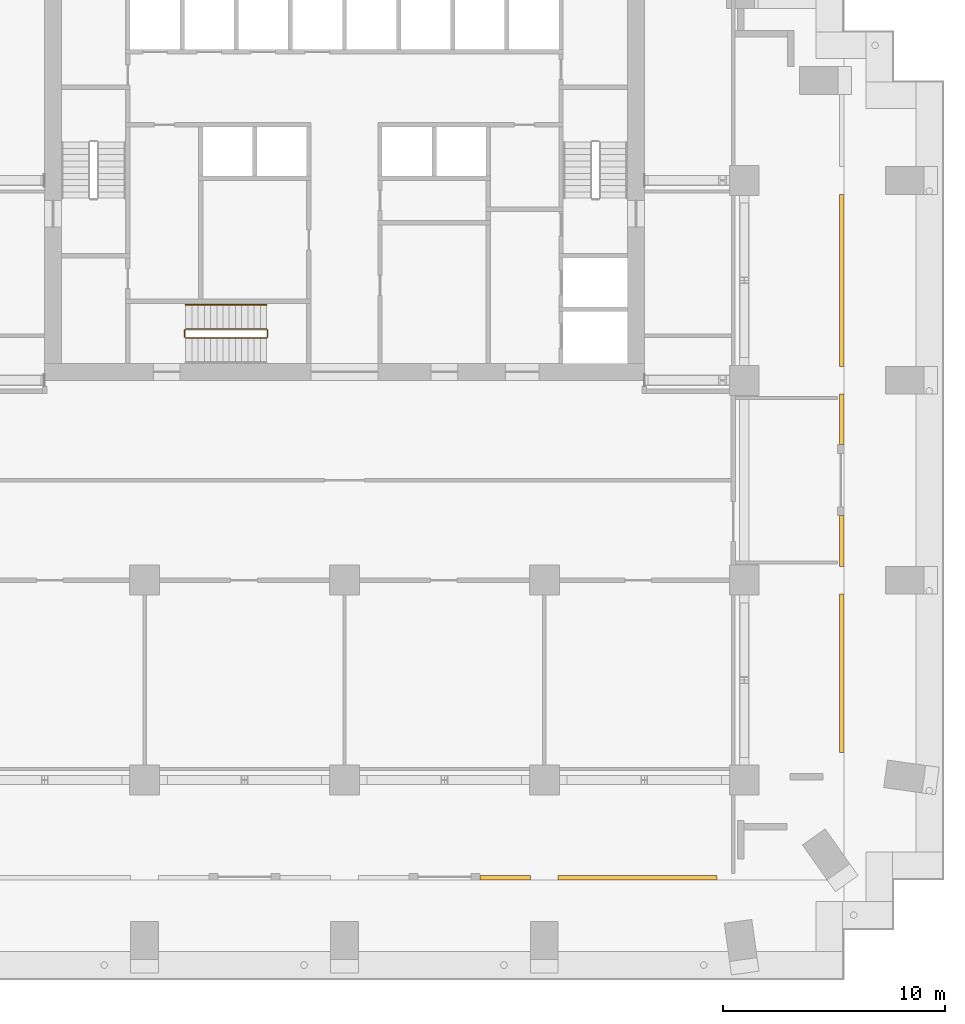
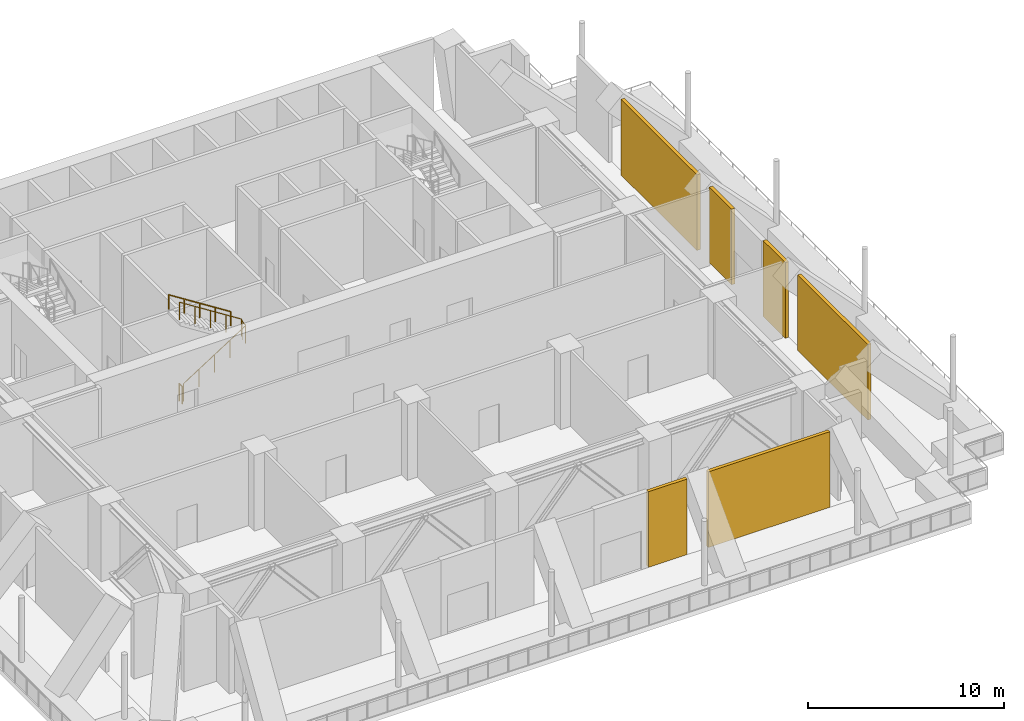
# One storey, part 7 of 9: 6 shading devices, 3 railings.
"""IFC4 building model written with IfcOpenShell, lengths in metres."""

from ifc_helpers import new_model, si_unit, direction, frame, origin, origin_2d, place, context, subcontext, project, spatial, polyline, circle, outline, extrude, material, layer, layer_set, type_object, element, save


model = new_model("IFC4")

# Units and contexts
model_context = context("Model", 3, precision=1e-05, world=origin(), true_north=direction((0.0, 1.0)))
body_context = subcontext(model_context, "Body", "Model", "MODEL_VIEW")
ifc_project = project(units=[si_unit("LENGTHUNIT", "METRE"), si_unit("AREAUNIT", "SQUARE_METRE"), si_unit("VOLUMEUNIT", "CUBIC_METRE"), si_unit("PLANEANGLEUNIT", "RADIAN"), si_unit("MASSUNIT", "GRAM", prefix="KILO")], contexts=[model_context])

# Site, building, storey
site_placement = place(None, origin())
site = spatial("IfcSite", under=ifc_project, at=site_placement, CompositionType="ELEMENT")
building_placement = place(site_placement, origin())
building = spatial("IfcBuilding", under=site, at=building_placement, Name="Orbiselva Terraces", CompositionType="ELEMENT")
storey_placement = place(building_placement, frame((0.0, 0.0, 115.0)))
storey = spatial("IfcBuildingStorey", under=building, at=storey_placement, Name="L29", CompositionType="ELEMENT", Elevation=115.0)

# Railings
ifc_material_1 = material(Name="Stainless steel", Category="steel")
railing_type_1 = type_object("IfcRailingType", Name="CORE-GUARD-1100", PredefinedType="GUARDRAIL", material=ifc_material_1)
railing_1_placement = place(storey_placement, frame((-7.15, 6.4, 0.178571)))
element("IfcRailing", 1, at=railing_1_placement, inside=storey, type_object=railing_type_1, Name="L29 S3 stair guard 1", PredefinedType="GUARDRAIL", context=body_context, shape_type="SweptSolid", body=[
    extrude(circle(Radius=0.024, at=origin_2d()), frame((0.0, 0.0, 1.081), z_axis=(0.843129645223, 0.0, 0.537710332192), x_axis=(0.0, 1.0, 0.0)), (0.0, 0.0, 1.0), 4.317248),
    extrude(circle(Radius=0.024, at=origin_2d()), frame((3.64, 0.0, 3.402429), z_axis=(0.707106781187, 0.707106781187, 0.0), x_axis=(-0.707106781187, 0.707106781187, 0.0)), (0.0, 0.0, 1.0), 0.070711),
    extrude(circle(Radius=0.024, at=origin_2d()), frame((3.69, 0.05, 3.402429), z_axis=(0.0, 1.0, 0.0), x_axis=(-1.0, 0.0, 0.0)), (0.0, 0.0, 1.0), 0.3),
    extrude(circle(Radius=0.024, at=origin_2d()), frame((3.69, 0.35, 3.402429), z_axis=(-0.260333341268, 0.260333341268, 0.92975970167), x_axis=(-0.707106781187, -0.707106781187, 0.0)), (0.0, 0.0, 1.0), 0.192061),
    extrude(circle(Radius=0.024, at=origin_2d()), frame((3.64, 0.4, 3.581), z_axis=(-0.843129645223, 0.0, 0.537710332192), x_axis=(0.0, -1.0, 0.0)), (0.0, 0.0, 1.0), 4.317248),
    extrude(circle(Radius=0.021, at=origin_2d()), origin(), (0.0, 0.0, 1.0), 1.057),
    extrude(circle(Radius=0.021, at=origin_2d()), frame((0.91, 0.0, 0.580357)), (0.0, 0.0, 1.0), 1.057),
    extrude(circle(Radius=0.021, at=origin_2d()), frame((1.82, 0.0, 1.160714)), (0.0, 0.0, 1.0), 1.057),
    extrude(circle(Radius=0.021, at=origin_2d()), frame((2.73, 0.0, 1.741072)), (0.0, 0.0, 1.0), 1.057),
    extrude(circle(Radius=0.021, at=origin_2d()), frame((3.64, 0.0, 2.321429)), (0.0, 0.0, 1.0), 1.057),
    extrude(circle(Radius=0.021, at=origin_2d()), frame((3.69, 0.05, 2.321429)), (0.0, 0.0, 1.0), 1.057),
    extrude(circle(Radius=0.021, at=origin_2d()), frame((3.69, 0.35, 2.321429)), (0.0, 0.0, 1.0), 1.057),
    extrude(circle(Radius=0.021, at=origin_2d()), frame((3.64, 0.4, 2.5)), (0.0, 0.0, 1.0), 1.057),
    extrude(circle(Radius=0.021, at=origin_2d()), frame((2.73, 0.4, 3.080357)), (0.0, 0.0, 1.0), 1.057),
    extrude(circle(Radius=0.021, at=origin_2d()), frame((1.82, 0.4, 3.660714)), (0.0, 0.0, 1.0), 1.057),
    extrude(circle(Radius=0.021, at=origin_2d()), frame((0.91, 0.4, 4.241072)), (0.0, 0.0, 1.0), 1.057),
    extrude(circle(Radius=0.021, at=origin_2d()), frame((0.0, 0.4, 4.821429)), (0.0, 0.0, 1.0), 1.057),
])
railing_2_placement = place(storey_placement, frame((-7.2, 6.45, 0.0)))
element("IfcRailing", 2, at=railing_2_placement, inside=storey, type_object=railing_type_1, Name="L29 S3 stair guard 2", PredefinedType="GUARDRAIL", context=body_context, shape_type="SweptSolid", body=[
    extrude(circle(Radius=0.024, at=origin_2d()), frame((0.0, 0.0, 1.081), z_axis=(0.0, 1.0, 0.0), x_axis=(-1.0, 0.0, 0.0)), (0.0, 0.0, 1.0), 0.3),
    extrude(circle(Radius=0.021, at=origin_2d()), origin(), (0.0, 0.0, 1.0), 1.057),
    extrude(circle(Radius=0.021, at=origin_2d()), frame((0.0, 0.3, 0.0)), (0.0, 0.0, 1.0), 1.057),
])
railing_type_2 = type_object("IfcRailingType", Name="CORE-HANDRAIL-900", PredefinedType="HANDRAIL", material=ifc_material_1)
railing_3_placement = place(storey_placement, frame((-3.51, 7.9, 2.678571)))
element("IfcRailing", 3, at=railing_3_placement, inside=storey, type_object=railing_type_2, Name="L29 S3 stair handrail 2", PredefinedType="HANDRAIL", context=body_context, shape_type="SweptSolid", body=[
    extrude(circle(Radius=0.024, at=origin_2d()), frame((0.0, 0.0, 0.876), z_axis=(-0.843129645223, 0.0, 0.537710332192), x_axis=(0.0, -1.0, 0.0)), (0.0, 0.0, 1.0), 4.317248),
    extrude(circle(Radius=0.021, at=origin_2d()), origin(), (0.0, 0.0, 1.0), 0.852),
    extrude(circle(Radius=0.021, at=origin_2d()), frame((-0.91, 0.0, 0.580357)), (0.0, 0.0, 1.0), 0.852),
    extrude(circle(Radius=0.021, at=origin_2d()), frame((-1.82, 0.0, 1.160714)), (0.0, 0.0, 1.0), 0.852),
    extrude(circle(Radius=0.021, at=origin_2d()), frame((-2.73, 0.0, 1.741072)), (0.0, 0.0, 1.0), 0.852),
    extrude(circle(Radius=0.021, at=origin_2d()), frame((-3.64, 0.0, 2.321429)), (0.0, 0.0, 1.0), 0.852),
])

# Shading devices
ifc_material_2 = material(Name="Terracotta louvre blades", Category="masonry")
ifc_layer = layer(ifc_material_2, 0.2)
ifc_layer_set = layer_set([ifc_layer], Name="Terracotta louvre blades")
shading_device_type = type_object("IfcShadingDeviceType", Name="ENV-LOUVRE-WALL-200", PredefinedType="USERDEFINED", material=ifc_layer_set)
shading_device_1_placement = place(storey_placement, origin())
element("IfcShadingDevice", 4, at=shading_device_1_placement, inside=storey, type_object=shading_device_type, Name="Louvre wall L29 S", ObjectType="LOUVRE", PredefinedType="USERDEFINED", context=body_context, shape_type="SweptSolid", body=[
    extrude(outline(polyline([(6.1, -18.0), (8.375, -18.0), (8.375, -17.8), (6.1, -17.8), (6.1, -18.0)])), origin(), (0.0, 0.0, 1.0), 4.7),
])
shading_device_2_placement = place(storey_placement, origin())
element("IfcShadingDevice", 5, at=shading_device_2_placement, inside=storey, type_object=shading_device_type, Name="Louvre wall L29 S", ObjectType="LOUVRE", PredefinedType="USERDEFINED", context=body_context, shape_type="SweptSolid", body=[
    extrude(outline(polyline([(9.625, -18.0), (16.76787, -18.0), (16.76787, -17.8), (9.625, -17.8), (9.625, -18.0)])), origin(), (0.0, 0.0, 1.0), 4.7),
])
shading_device_3_placement = place(storey_placement, origin())
element("IfcShadingDevice", 6, at=shading_device_3_placement, inside=storey, type_object=shading_device_type, Name="Louvre wall L29 E", ObjectType="LOUVRE", PredefinedType="USERDEFINED", context=body_context, shape_type="SweptSolid", body=[
    extrude(outline(polyline([(22.5, -12.26787), (22.5, -5.125), (22.3, -5.125), (22.3, -12.26787), (22.5, -12.26787)])), origin(), (0.0, 0.0, 1.0), 4.7),
])
shading_device_4_placement = place(storey_placement, origin())
element("IfcShadingDevice", 7, at=shading_device_4_placement, inside=storey, type_object=shading_device_type, Name="Louvre wall L29 E", ObjectType="LOUVRE", PredefinedType="USERDEFINED", context=body_context, shape_type="SweptSolid", body=[
    extrude(outline(polyline([(22.5, -3.875), (22.5, -1.6), (22.3, -1.6), (22.3, -3.875), (22.5, -3.875)])), origin(), (0.0, 0.0, 1.0), 4.7),
])
shading_device_5_placement = place(storey_placement, origin())
element("IfcShadingDevice", 8, at=shading_device_5_placement, inside=storey, type_object=shading_device_type, Name="Louvre wall L29 E", ObjectType="LOUVRE", PredefinedType="USERDEFINED", context=body_context, shape_type="SweptSolid", body=[
    extrude(outline(polyline([(22.5, 1.6), (22.5, 3.875), (22.3, 3.875), (22.3, 1.6), (22.5, 1.6)])), origin(), (0.0, 0.0, 1.0), 4.7),
])
shading_device_6_placement = place(storey_placement, origin())
element("IfcShadingDevice", 9, at=shading_device_6_placement, inside=storey, type_object=shading_device_type, Name="Louvre wall L29 E", ObjectType="LOUVRE", PredefinedType="USERDEFINED", context=body_context, shape_type="SweptSolid", body=[
    extrude(outline(polyline([(22.5, 5.125), (22.5, 12.875), (22.3, 12.875), (22.3, 5.125), (22.5, 5.125)])), origin(), (0.0, 0.0, 1.0), 4.7),
])

save(model, "model.ifc")
